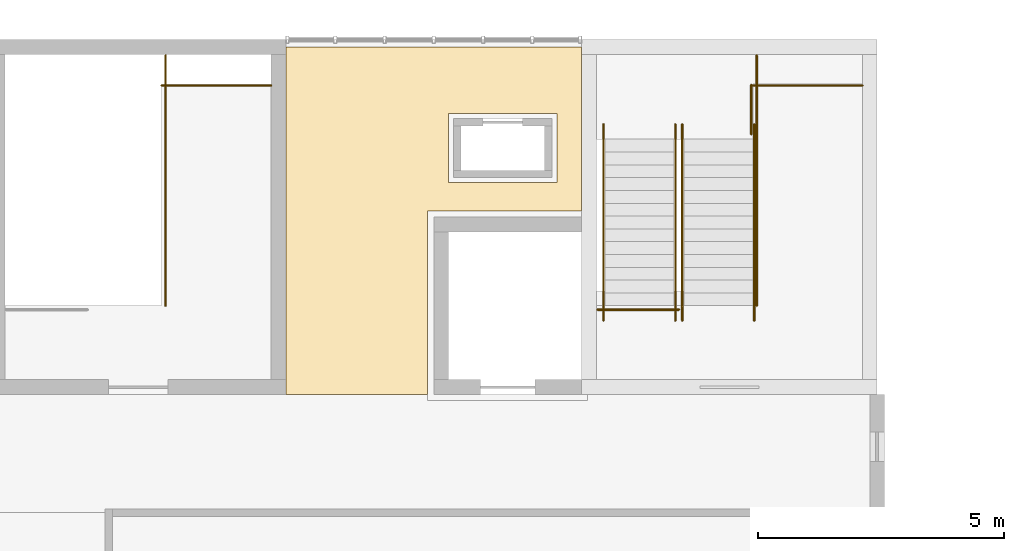
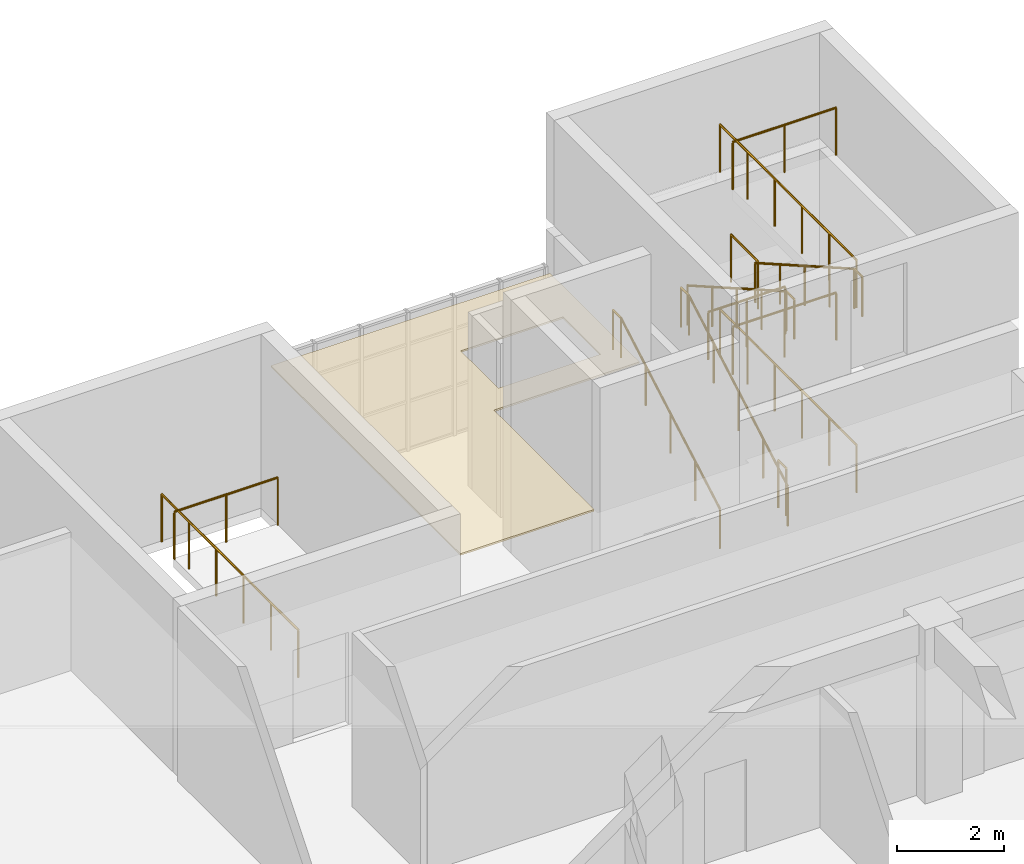
# One storey, part 51 of 51: 13 railings, 1 covering.
"""IFC4 building model written with IfcOpenShell, lengths in metres."""

from ifc_helpers import new_model, si_unit, direction, frame, origin, origin_2d, place, context, subcontext, project, spatial, polyline, circle, outline, extrude, material, layer, layer_set, type_object, element, save


model = new_model("IFC4")

# Units and contexts
model_context = context("Model", 3, precision=1e-05, world=origin(), true_north=direction((0.0, 1.0)))
body_context = subcontext(model_context, "Body", "Model", "MODEL_VIEW")
ifc_project = project(units=[si_unit("LENGTHUNIT", "METRE"), si_unit("AREAUNIT", "SQUARE_METRE"), si_unit("VOLUMEUNIT", "CUBIC_METRE"), si_unit("PLANEANGLEUNIT", "RADIAN"), si_unit("MASSUNIT", "GRAM", prefix="KILO")], contexts=[model_context])

# Site, building, storey
site_placement = place(None, origin())
site = spatial("IfcSite", under=ifc_project, at=site_placement, CompositionType="ELEMENT")
building_placement = place(site_placement, origin())
building = spatial("IfcBuilding", under=site, at=building_placement, Name="Laocheng Heights Fire and Rescue Headquarters", CompositionType="ELEMENT")
storey_placement = place(building_placement, frame((0.0, 0.0, 21.0)))
storey = spatial("IfcBuildingStorey", under=building, at=storey_placement, Name="L05", CompositionType="ELEMENT", Elevation=21.0)

# Railings
ifc_material_1 = material(Name="Steel Q355B", Category="steel")
railing_type_1 = type_object("IfcRailingType", Name="STAIR GUARD 1100", PredefinedType="GUARDRAIL", material=ifc_material_1)
railing_1_placement = place(storey_placement, frame((80.044921875, 66.900146484375, 0.0)))
element("IfcRailing", 1, at=railing_1_placement, inside=storey, type_object=railing_type_1, Name="Stair H2 guard L05 well edge", PredefinedType="GUARDRAIL", context=body_context, shape_type="SweptSolid", body=[
    extrude(circle(Radius=0.02392578125, at=origin_2d()), frame((0.0, 0.0, 1.076171875), z_axis=(0.0, -1.0, 0.0), x_axis=(1.0, 0.0, 0.0)), (0.0, 0.0, 1.0), 0.300048828125),
    extrude(circle(Radius=0.02099609375, at=origin_2d()), origin(), (0.0, 0.0, 1.0), 1.052001953125),
    extrude(circle(Radius=0.02099609375, at=origin_2d()), frame((0.0, -0.300048828125, 0.0)), (0.0, 0.0, 1.0), 1.052001953125),
])
railing_2_placement = place(storey_placement, frame((81.47509765625, 71.070068359375, 0.0)))
element("IfcRailing", 2, at=railing_2_placement, inside=storey, type_object=railing_type_1, Name="Stair H2 guard L05 tongue edge", PredefinedType="GUARDRAIL", context=body_context, shape_type="SweptSolid", body=[
    extrude(circle(Radius=0.02392578125, at=origin_2d()), frame((0.0, 0.0, 1.076171875), z_axis=(1.0, 0.0, 0.0), x_axis=(0.0, 1.0, 0.0)), (0.0, 0.0, 1.0), 2.224853515625),
    extrude(circle(Radius=0.02099609375, at=origin_2d()), origin(), (0.0, 0.0, 1.0), 1.052001953125),
    extrude(circle(Radius=0.02099609375, at=origin_2d()), frame((1.1123046875, 0.0, 0.0)), (0.0, 0.0, 1.0), 1.052001953125),
    extrude(circle(Radius=0.02099609375, at=origin_2d()), frame((2.224853515625, 0.0, 0.0)), (0.0, 0.0, 1.0), 1.052001953125),
])
railing_3_placement = place(storey_placement, frame((81.554931640625, 71.679931640625, 0.0)))
element("IfcRailing", 3, at=railing_3_placement, inside=storey, type_object=railing_type_1, Name="Stair H2 guard L05 strip edge", PredefinedType="GUARDRAIL", context=body_context, shape_type="SweptSolid", body=[
    extrude(circle(Radius=0.02392578125, at=origin_2d()), frame((0.0, 0.0, 1.076171875), z_axis=(0.0, -1.0, 0.0), x_axis=(1.0, 0.0, 0.0)), (0.0, 0.0, 1.0), 5.079833984375),
    extrude(circle(Radius=0.02099609375, at=origin_2d()), origin(), (0.0, 0.0, 1.0), 1.052001953125),
    extrude(circle(Radius=0.02099609375, at=origin_2d()), frame((0.0, -1.015869140625, 0.0)), (0.0, 0.0, 1.0), 1.052001953125),
    extrude(circle(Radius=0.02099609375, at=origin_2d()), frame((0.0, -2.031982421875, 0.0)), (0.0, 0.0, 1.0), 1.052001953125),
    extrude(circle(Radius=0.02099609375, at=origin_2d()), frame((0.0, -3.0478515625, 0.0)), (0.0, 0.0, 1.0), 1.052001953125),
    extrude(circle(Radius=0.02099609375, at=origin_2d()), frame((0.0, -4.06396484375, 0.0)), (0.0, 0.0, 1.0), 1.052001953125),
    extrude(circle(Radius=0.02099609375, at=origin_2d()), frame((0.0, -5.079833984375, 0.0)), (0.0, 0.0, 1.0), 1.052001953125),
])
railing_4_placement = place(storey_placement, frame((81.445068359375, 71.080078125, 2.10009765625)))
element("IfcRailing", 4, at=railing_4_placement, inside=storey, type_object=railing_type_1, Name="Stair H2 guard L05 half landing", PredefinedType="GUARDRAIL", context=body_context, shape_type="SweptSolid", body=[
    extrude(circle(Radius=0.02392578125, at=origin_2d()), frame((0.0, 0.0, 1.076171875), z_axis=(0.0, -1.0, 0.0), x_axis=(1.0, 0.0, 0.0)), (0.0, 0.0, 1.0), 1.0),
    extrude(circle(Radius=0.02099609375, at=origin_2d()), origin(), (0.0, 0.0, 1.0), 1.052001953125),
    extrude(circle(Radius=0.02099609375, at=origin_2d()), frame((0.0, -1.0, 0.0)), (0.0, 0.0, 1.0), 1.052001953125),
])
railing_5_placement = place(storey_placement, frame((81.47509765625, 71.070068359375, 4.199951171875)))
element("IfcRailing", 5, at=railing_5_placement, inside=storey, type_object=railing_type_1, Name="Stair H2 guard roof tongue edge", PredefinedType="GUARDRAIL", context=body_context, shape_type="SweptSolid", body=[
    extrude(circle(Radius=0.02392578125, at=origin_2d()), frame((0.0, 0.0, 1.076171875), z_axis=(1.0, 0.0, 0.0), x_axis=(0.0, 1.0, 0.0)), (0.0, 0.0, 1.0), 2.224853515625),
    extrude(circle(Radius=0.02099609375, at=origin_2d()), origin(), (0.0, 0.0, 1.0), 1.052001953125),
    extrude(circle(Radius=0.02099609375, at=origin_2d()), frame((1.1123046875, 0.0, 0.0)), (0.0, 0.0, 1.0), 1.052001953125),
    extrude(circle(Radius=0.02099609375, at=origin_2d()), frame((2.224853515625, 0.0, 0.0)), (0.0, 0.0, 1.0), 1.052001953125),
])
railing_6_placement = place(storey_placement, frame((81.554931640625, 71.679931640625, 4.199951171875)))
element("IfcRailing", 6, at=railing_6_placement, inside=storey, type_object=railing_type_1, Name="Stair H2 guard roof strip edge", PredefinedType="GUARDRAIL", context=body_context, shape_type="SweptSolid", body=[
    extrude(circle(Radius=0.02392578125, at=origin_2d()), frame((0.0, 0.0, 1.076171875), z_axis=(0.0, -1.0, 0.0), x_axis=(1.0, 0.0, 0.0)), (0.0, 0.0, 1.0), 5.079833984375),
    extrude(circle(Radius=0.02099609375, at=origin_2d()), origin(), (0.0, 0.0, 1.0), 1.052001953125),
    extrude(circle(Radius=0.02099609375, at=origin_2d()), frame((0.0, -1.015869140625, 0.0)), (0.0, 0.0, 1.0), 1.052001953125),
    extrude(circle(Radius=0.02099609375, at=origin_2d()), frame((0.0, -2.031982421875, 0.0)), (0.0, 0.0, 1.0), 1.052001953125),
    extrude(circle(Radius=0.02099609375, at=origin_2d()), frame((0.0, -3.0478515625, 0.0)), (0.0, 0.0, 1.0), 1.052001953125),
    extrude(circle(Radius=0.02099609375, at=origin_2d()), frame((0.0, -4.06396484375, 0.0)), (0.0, 0.0, 1.0), 1.052001953125),
    extrude(circle(Radius=0.02099609375, at=origin_2d()), frame((0.0, -5.079833984375, 0.0)), (0.0, 0.0, 1.0), 1.052001953125),
])
railing_7_placement = place(storey_placement, frame((78.320068359375, 66.52001953125, 4.199951171875)))
element("IfcRailing", 7, at=railing_7_placement, inside=storey, type_object=railing_type_1, Name="Stair H2 guard roof flight opening", PredefinedType="GUARDRAIL", context=body_context, shape_type="SweptSolid", body=[
    extrude(circle(Radius=0.02392578125, at=origin_2d()), frame((0.0, 0.0, 1.076171875), z_axis=(1.0, 0.0, 0.0), x_axis=(0.0, 1.0, 0.0)), (0.0, 0.0, 1.0), 1.655029296875),
    extrude(circle(Radius=0.02099609375, at=origin_2d()), origin(), (0.0, 0.0, 1.0), 1.052001953125),
    extrude(circle(Radius=0.02099609375, at=origin_2d()), frame((0.82763671875, 0.0, 0.0)), (0.0, 0.0, 1.0), 1.052001953125),
    extrude(circle(Radius=0.02099609375, at=origin_2d()), frame((1.655029296875, 0.0, 0.0)), (0.0, 0.0, 1.0), 1.052001953125),
])
railing_8_placement = place(storey_placement, frame((69.47509765625, 71.070068359375, 0.0)))
element("IfcRailing", 8, at=railing_8_placement, inside=storey, type_object=railing_type_1, Name="Stair H3 guard L05 tongue edge", PredefinedType="GUARDRAIL", context=body_context, shape_type="SweptSolid", body=[
    extrude(circle(Radius=0.02392578125, at=origin_2d()), frame((0.0, 0.0, 1.076171875), z_axis=(1.0, 0.0, 0.0), x_axis=(0.0, 1.0, 0.0)), (0.0, 0.0, 1.0), 2.224853515625),
    extrude(circle(Radius=0.02099609375, at=origin_2d()), origin(), (0.0, 0.0, 1.0), 1.052001953125),
    extrude(circle(Radius=0.02099609375, at=origin_2d()), frame((1.1123046875, 0.0, 0.0)), (0.0, 0.0, 1.0), 1.052001953125),
    extrude(circle(Radius=0.02099609375, at=origin_2d()), frame((2.224853515625, 0.0, 0.0)), (0.0, 0.0, 1.0), 1.052001953125),
])
railing_9_placement = place(storey_placement, frame((69.554931640625, 71.679931640625, 0.0)))
element("IfcRailing", 9, at=railing_9_placement, inside=storey, type_object=railing_type_1, Name="Stair H3 guard L05 strip edge", PredefinedType="GUARDRAIL", context=body_context, shape_type="SweptSolid", body=[
    extrude(circle(Radius=0.02392578125, at=origin_2d()), frame((0.0, 0.0, 1.076171875), z_axis=(0.0, -1.0, 0.0), x_axis=(1.0, 0.0, 0.0)), (0.0, 0.0, 1.0), 5.079833984375),
    extrude(circle(Radius=0.02099609375, at=origin_2d()), origin(), (0.0, 0.0, 1.0), 1.052001953125),
    extrude(circle(Radius=0.02099609375, at=origin_2d()), frame((0.0, -1.015869140625, 0.0)), (0.0, 0.0, 1.0), 1.052001953125),
    extrude(circle(Radius=0.02099609375, at=origin_2d()), frame((0.0, -2.031982421875, 0.0)), (0.0, 0.0, 1.0), 1.052001953125),
    extrude(circle(Radius=0.02099609375, at=origin_2d()), frame((0.0, -3.0478515625, 0.0)), (0.0, 0.0, 1.0), 1.052001953125),
    extrude(circle(Radius=0.02099609375, at=origin_2d()), frame((0.0, -4.06396484375, 0.0)), (0.0, 0.0, 1.0), 1.052001953125),
    extrude(circle(Radius=0.02099609375, at=origin_2d()), frame((0.0, -5.079833984375, 0.0)), (0.0, 0.0, 1.0), 1.052001953125),
])
ifc_material_2 = material(Name="Steel Q355B", Category="steel")
railing_type_2 = type_object("IfcRailingType", Name="STAIR HANDRAIL 920", PredefinedType="HANDRAIL", material=ifc_material_2)
for number, where, name in (
    (10, (78.445068359375, 66.300048828125, 0.0), "Stair H2 handrail L05 1"),
    (11, (79.905029296875, 66.300048828125, 0.0), "Stair H2 handrail L05 2"),
):
    element("IfcRailing", number, at=place(storey_placement, frame(where)), inside=storey, type_object=railing_type_2, Name=name, PredefinedType="HANDRAIL", context=body_context, shape_type="SweptSolid", body=[
        extrude(circle(Radius=0.02392578125, at=origin_2d()), frame((0.0, 0.0, 0.89599609375), z_axis=(0.0, 0.868519587458, 0.495654845838), x_axis=(-1.0, 0.0, 0.0)), (0.0, 0.0, 1.0), 4.237060546875),
        extrude(circle(Radius=0.02392578125, at=origin_2d()), frame((0.0, 3.679931640625, 2.99609375), z_axis=(0.0, 1.0, 0.0), x_axis=(-1.0, 0.0, 0.0)), (0.0, 0.0, 1.0), 0.300048828125),
        extrude(circle(Radius=0.02099609375, at=origin_2d()), origin(), (0.0, 0.0, 1.0), 0.871826171875),
        extrude(circle(Radius=0.02099609375, at=origin_2d()), frame((0.0, 0.919921875, 0.52490234375)), (0.0, 0.0, 1.0), 0.871826171875),
        extrude(circle(Radius=0.02099609375, at=origin_2d()), frame((0.0, 1.83984375, 1.050048828125)), (0.0, 0.0, 1.0), 0.871826171875),
        extrude(circle(Radius=0.02099609375, at=origin_2d()), frame((0.0, 2.760009765625, 1.5751953125)), (0.0, 0.0, 1.0), 0.871826171875),
        extrude(circle(Radius=0.02099609375, at=origin_2d()), frame((0.0, 3.679931640625, 2.10009765625)), (0.0, 0.0, 1.0), 0.871826171875),
        extrude(circle(Radius=0.02099609375, at=origin_2d()), frame((0.0, 3.97998046875, 2.10009765625)), (0.0, 0.0, 1.0), 0.871826171875),
    ])
for number, where, name in (
    (12, (80.044921875, 70.280029296875, 2.10009765625), "Stair H2 handrail L05 3"),
    (13, (81.5048828125, 70.280029296875, 2.10009765625), "Stair H2 handrail L05 4"),
):
    element("IfcRailing", number, at=place(storey_placement, frame(where)), inside=storey, type_object=railing_type_2, Name=name, PredefinedType="HANDRAIL", context=body_context, shape_type="SweptSolid", body=[
        extrude(circle(Radius=0.02392578125, at=origin_2d()), frame((0.0, 0.0, 0.89599609375), z_axis=(0.0, -0.868544392059, 0.495611379029), x_axis=(1.0, 0.0, 0.0)), (0.0, 0.0, 1.0), 4.23681640625),
        extrude(circle(Radius=0.02392578125, at=origin_2d()), frame((0.0, -3.679931640625, 2.99560546875), z_axis=(0.0, -1.0, 0.0), x_axis=(1.0, 0.0, 0.0)), (0.0, 0.0, 1.0), 0.300048828125),
        extrude(circle(Radius=0.02099609375, at=origin_2d()), origin(), (0.0, 0.0, 1.0), 0.871826171875),
        extrude(circle(Radius=0.02099609375, at=origin_2d()), frame((0.0, -0.919921875, 0.52490234375)), (0.0, 0.0, 1.0), 0.871826171875),
        extrude(circle(Radius=0.02099609375, at=origin_2d()), frame((0.0, -1.83984375, 1.0498046875)), (0.0, 0.0, 1.0), 0.871826171875),
        extrude(circle(Radius=0.02099609375, at=origin_2d()), frame((0.0, -2.760009765625, 1.574951171875)), (0.0, 0.0, 1.0), 0.871826171875),
        extrude(circle(Radius=0.02099609375, at=origin_2d()), frame((0.0, -3.679931640625, 2.099853515625)), (0.0, 0.0, 1.0), 0.871826171875),
        extrude(circle(Radius=0.02099609375, at=origin_2d()), frame((0.0, -3.97998046875, 2.099853515625)), (0.0, 0.0, 1.0), 0.871826171875),
    ])

# Covering
ifc_material_3 = material(Name="Mineral fibre ceiling tile")
ifc_layer = layer(ifc_material_3, 0.0400390625)
ifc_layer_set = layer_set([ifc_layer], Name="Mineral fibre ceiling tile")
covering_type = type_object("IfcCoveringType", Name="SUSPENDED CEILING MINERAL FIBRE TILE HQ WING", PredefinedType="CEILING", material=ifc_layer_set)
covering_placement = place(storey_placement, frame((0.0, 0.0, 3.0)))
element("IfcCovering", 14, at=covering_placement, inside=storey, type_object=covering_type, Name="Riser Lobby ceiling", PredefinedType="CEILING", context=body_context, shape_type="SweptSolid", body=[
    extrude(outline(polyline([(72.0, 71.85009765625), (78.0, 71.85009765625), (78.0, 68.52490234375), (77.875, 68.52490234375), (75.125, 68.52490234375), (74.875, 68.52490234375), (74.875, 68.27490234375), (74.875, 64.925048828125), (74.875, 64.800048828125), (72.0, 64.800048828125), (72.0, 71.85009765625)]), holes=[polyline([(75.300048828125, 69.10009765625), (75.5, 69.10009765625), (77.300048828125, 69.10009765625), (77.5, 69.10009765625), (77.5, 69.300048828125), (77.5, 70.300048828125), (77.5, 70.5), (77.300048828125, 70.5), (75.5, 70.5), (75.300048828125, 70.5), (75.300048828125, 70.300048828125), (75.300048828125, 69.300048828125), (75.300048828125, 69.10009765625)])]), origin(), (0.0, 0.0, 1.0), 0.0400390625),
])

save(model, "model.ifc")
